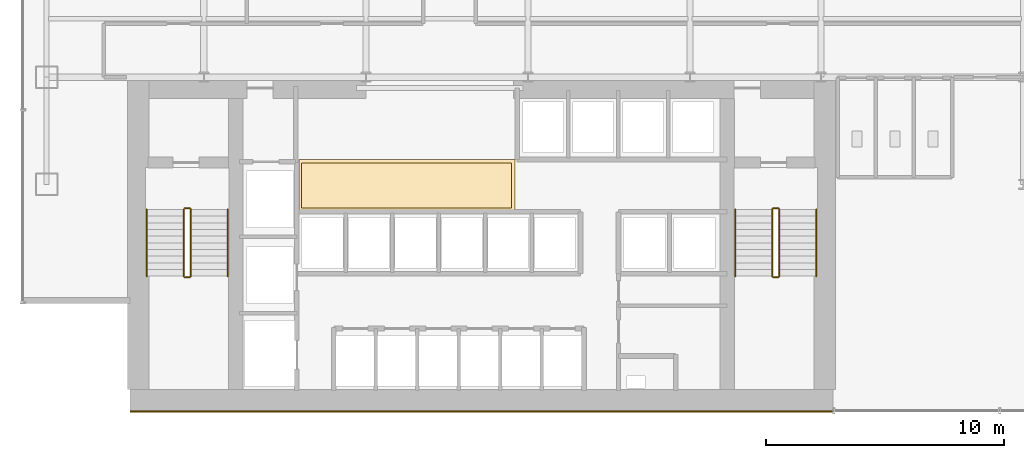
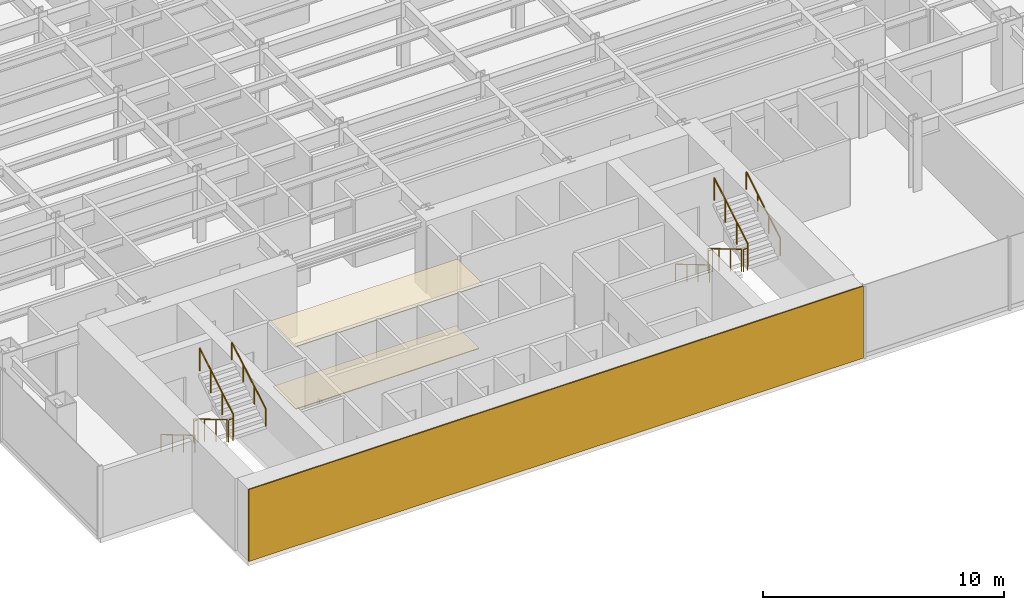
# One storey, part 20 of 22: 12 railings, 3 coverings.
"""IFC4 building model written with IfcOpenShell, lengths in metres."""

import ifcopenshell
import ifcopenshell.guid

model = None  # the IFC model being written
_history = None  # IfcOwnerHistory: only IFC2X3 demands one
_inside = {}  # id of a spatial element -> (the spatial element, [elements in it])
_under = {}  # id of a project, library or spatial element -> (it, [spatial elements below it])
_declared = {}  # id of a project -> (the project, [libraries it declares])
_typed = {}  # id of a type object -> (the type object, [elements of that type])
_made_of = {}  # id of a material, layer set ... -> (it, [elements and type objects made of it])


def new_model(schema):
    """Start an empty IFC model of exactly this schema.

    Asked for "IFC4X3", IfcOpenShell would pick the latest addendum, in which some entities
    have other attributes; the version numbers below select the first issue.
    IFC2X3 requires an IfcOwnerHistory on every rooted entity: one is made here for all.
    """
    global model, _history
    if schema == "IFC4X3":
        model = ifcopenshell.file(schema_version=(4, 3, 0, 0))
    else:
        model = ifcopenshell.file(schema=schema)
    _inside.clear()
    _under.clear()
    _declared.clear()
    _typed.clear()
    _made_of.clear()
    _history = None
    if model.schema == "IFC2X3":
        org = make("IfcOrganization", Name="unknown")
        user = make(
            "IfcPersonAndOrganization",
            ThePerson=make("IfcPerson", FamilyName="unknown"),
            TheOrganization=org,
        )
        app = make(
            "IfcApplication",
            ApplicationDeveloper=org,
            Version="unknown",
            ApplicationFullName="unknown",
            ApplicationIdentifier="unknown",
        )
        _history = make(
            "IfcOwnerHistory",
            OwningUser=user,
            OwningApplication=app,
            ChangeAction="ADDED",
            CreationDate=0,
        )
    return model


def make(cls, **values):
    """One entity of the class cls with the attributes given. An attribute that is None is left unset."""
    return model.create_entity(
        cls, **{name: value for name, value in values.items() if value is not None}
    )


def rooted(cls, **values):
    """An entity with a GlobalId (a new one), such as an element, a storey or a relation."""
    return make(cls, GlobalId=ifcopenshell.guid.new(), OwnerHistory=_history, **values)


def si_unit(unit_type, name, prefix=None):
    """IfcSIUnit, for example si_unit("LENGTHUNIT", "METRE", prefix="MILLI")."""
    return make("IfcSIUnit", UnitType=unit_type, Prefix=prefix, Name=name)


def derived_unit(unit_type, elements):
    """IfcDerivedUnit: a product of units, each with its exponent."""
    return make(
        "IfcDerivedUnit",
        Elements=[
            make("IfcDerivedUnitElement", Unit=unit, Exponent=power)
            for unit, power in elements
        ],
        UnitType=unit_type,
    )


def assignment(units):
    """IfcUnitAssignment: the units of a project."""
    return None if units is None else make("IfcUnitAssignment", Units=units)


def point(xyz):
    """IfcCartesianPoint."""
    return None if xyz is None else make("IfcCartesianPoint", Coordinates=xyz)


def direction(xyz):
    """IfcDirection."""
    return None if xyz is None else make("IfcDirection", DirectionRatios=xyz)


def frame(location, z_axis=None, x_axis=None):
    """IfcAxis2Placement3D, a coordinate frame: its origin and axes. An axis left out is left unset."""
    return make(
        "IfcAxis2Placement3D",
        Location=point(location),
        Axis=direction(z_axis),
        RefDirection=direction(x_axis),
    )


def frame_2d(location, x_axis=None):
    """IfcAxis2Placement2D, a coordinate frame in the plane: its origin and x axis."""
    return make(
        "IfcAxis2Placement2D", Location=point(location), RefDirection=direction(x_axis)
    )


def origin():
    """The frame at (0, 0, 0) with its axes left unset."""
    return frame((0.0, 0.0, 0.0))


def origin_2d():
    """The frame at (0, 0) in the plane with its x axis left unset."""
    return frame_2d((0.0, 0.0))


def place(relative_to, where):
    """IfcLocalPlacement: puts the frame where relative to a parent placement (None: the world)."""
    return make(
        "IfcLocalPlacement", PlacementRelTo=relative_to, RelativePlacement=where
    )


def context(
    kind, dimensions, precision=None, world=None, true_north=None, identifier=None
):
    """IfcGeometricRepresentationContext, for example the 3D "Model" context."""
    return make(
        "IfcGeometricRepresentationContext",
        ContextIdentifier=identifier,
        ContextType=kind,
        CoordinateSpaceDimension=dimensions,
        Precision=precision,
        WorldCoordinateSystem=world,
        TrueNorth=true_north,
    )


def subcontext(parent, identifier, kind, view, scale=None):
    """IfcGeometricRepresentationSubContext, for example "Body" below "Model"."""
    return make(
        "IfcGeometricRepresentationSubContext",
        ContextIdentifier=identifier,
        ContextType=kind,
        ParentContext=parent,
        TargetScale=scale,
        TargetView=view,
    )


def project(units=None, contexts=None):
    """IfcProject with its units and contexts."""
    return rooted(
        "IfcProject",
        Name="project",
        RepresentationContexts=contexts,
        UnitsInContext=assignment(units),
    )


def spatial(cls, under=None, at=None, **own):
    """A site, building, storey or space (cls), placed at a placement, below another one or the project."""
    s = rooted(cls, ObjectPlacement=at, **own)
    if under is not None:
        _under.setdefault(under.id(), (under, []))[1].append(s)
    return s


def polyline(points):
    """IfcPolyline through the points."""
    return make("IfcPolyline", Points=[point(p) for p in points])


def profile(cls, at=None, kind="AREA", **sizes):
    """A parametric profile (cls). Its sizes go by their IFC names, for example OverallWidth=200.0."""
    return make(cls, ProfileType=kind, Position=at, **sizes)


def rectangle(**sizes):
    """IfcRectangleProfileDef."""
    return profile("IfcRectangleProfileDef", **sizes)


def circle(**sizes):
    """IfcCircleProfileDef."""
    return profile("IfcCircleProfileDef", **sizes)


def outline(outer, holes=None, kind="AREA"):
    """IfcArbitraryClosedProfileDef: a profile drawn as a closed curve; with holes, ...WithVoids."""
    if holes is None:
        return make("IfcArbitraryClosedProfileDef", ProfileType=kind, OuterCurve=outer)
    return make(
        "IfcArbitraryProfileDefWithVoids",
        ProfileType=kind,
        OuterCurve=outer,
        InnerCurves=holes,
    )


def extrude(swept, where, along, depth):
    """IfcExtrudedAreaSolid: the profile swept, set in the frame where, extruded along a direction by depth."""
    return make(
        "IfcExtrudedAreaSolid",
        SweptArea=swept,
        Position=where,
        ExtrudedDirection=direction(along),
        Depth=depth,
    )


def shape(context_of_items, identifier, shape_type, items):
    """IfcShapeRepresentation: the items that make up one representation, for example the "Body"."""
    return make(
        "IfcShapeRepresentation",
        ContextOfItems=context_of_items,
        RepresentationIdentifier=identifier,
        RepresentationType=shape_type,
        Items=items,
    )


def source(mapping_origin, context_of_items, identifier, shape_type, items):
    """IfcRepresentationMap: a shape defined once, which mapped items show again and again."""
    return make(
        "IfcRepresentationMap",
        MappingOrigin=mapping_origin,
        MappedRepresentation=shape(context_of_items, identifier, shape_type, items),
    )


def transform(
    local_origin,
    x_axis=None,
    y_axis=None,
    z_axis=None,
    scale=None,
    scale2=None,
    scale3=None,
    uniform=True,
):
    """IfcCartesianTransformationOperator3D, or its non-uniform kind. x_axis, y_axis, z_axis: its Axis1, 2, 3."""
    if uniform:
        return make(
            "IfcCartesianTransformationOperator3D",
            Axis1=direction(x_axis),
            Axis2=direction(y_axis),
            LocalOrigin=point(local_origin),
            Scale=scale,
            Axis3=direction(z_axis),
        )
    return make(
        "IfcCartesianTransformationOperator3DnonUniform",
        Axis1=direction(x_axis),
        Axis2=direction(y_axis),
        LocalOrigin=point(local_origin),
        Scale=scale,
        Axis3=direction(z_axis),
        Scale2=scale2,
        Scale3=scale3,
    )


def mapped(mapping_source, mapping_target):
    """IfcMappedItem: shows the shape of a source again, moved by a transform."""
    return make(
        "IfcMappedItem", MappingSource=mapping_source, MappingTarget=mapping_target
    )


def material(Name=None, Category=None):
    """IfcMaterial."""
    return make("IfcMaterial", Name=Name, Category=Category)


def layer(
    of_material, thickness, ventilated=None, Name=None, Category=None, Priority=None
):
    """IfcMaterialLayer: one layer of a wall or slab, of a material (None: an air gap)."""
    return make(
        "IfcMaterialLayer",
        Material=of_material,
        LayerThickness=thickness,
        IsVentilated=ventilated,
        Name=Name,
        Category=Category,
        Priority=Priority,
    )


def layer_set(layers, Name=None):
    """IfcMaterialLayerSet."""
    return make("IfcMaterialLayerSet", MaterialLayers=layers, LayerSetName=Name)


def made_of(thing, what):
    """Note that an element or type object is made of a material, layer set ...; save() writes the relation."""
    if what is not None:
        _made_of.setdefault(what.id(), (what, []))[1].append(thing)
    return thing


def type_object(cls, material=None, **own):
    """A type object (cls), such as IfcWallType, which elements share."""
    return made_of(rooted(cls, **own), material)


def element(
    cls,
    number,
    at=None,
    inside=None,
    cuts=None,
    type_object=None,
    material=None,
    context=None,
    identifier="Body",
    shape_type=None,
    held_by="IfcProductDefinitionShape",
    body=None,
    shapes=None,
    **own,
):
    """One element of the class cls, such as IfcWall. Its Tag is "e" and its number.

    at: its placement. inside: the storey or other place that contains it. cuts: it is an
    opening in that element (IfcRelVoidsElement). A single representation is given by context,
    identifier, shape_type and body (its items); several are given by shapes. held_by: the class
    of the entity that holds the representations. save() writes the other relations.
    """
    e = rooted(cls, Tag="e%d" % number, ObjectPlacement=at, **own)
    if body is not None:
        shapes = [shape(context, identifier, shape_type, body)]
    if shapes is not None:
        e.Representation = make(held_by, Representations=shapes)
    if inside is not None:
        _inside.setdefault(inside.id(), (inside, []))[1].append(e)
    if cuts is not None:
        rooted(
            "IfcRelVoidsElement", RelatingBuildingElement=cuts, RelatedOpeningElement=e
        )
    if type_object is not None:
        _typed.setdefault(type_object.id(), (type_object, []))[1].append(e)
    return made_of(e, material)


def aggregate(whole, parts):
    """IfcRelAggregates: a whole, such as a stair, and the parts it consists of."""
    return rooted("IfcRelAggregates", RelatingObject=whole, RelatedObjects=parts)


def save(model, path):
    """Write the relations noted so far, then the file.

    IfcRelAggregates (storeys below a building ...), IfcRelContainedInSpatialStructure (elements
    in a storey), IfcRelDefinesByType, IfcRelAssociatesMaterial and IfcRelDeclares: one each for
    every whole, place, type object, material and project.
    """
    for whole, parts in _under.values():
        aggregate(whole, parts)
    for where, things in _inside.values():
        rooted(
            "IfcRelContainedInSpatialStructure",
            RelatedElements=things,
            RelatingStructure=where,
        )
    for kind, things in _typed.values():
        rooted("IfcRelDefinesByType", RelatedObjects=things, RelatingType=kind)
    for what, things in _made_of.values():
        rooted("IfcRelAssociatesMaterial", RelatedObjects=things, RelatingMaterial=what)
    for by, libraries in _declared.values():
        rooted("IfcRelDeclares", RelatingContext=by, RelatedDefinitions=libraries)
    model.write(path)


model = new_model("IFC4")

# Units and contexts
model_context = context("Model", 3, precision=1e-05, world=origin(), true_north=direction((0.0, 1.0)))
body_context = subcontext(model_context, "Body", "Model", "MODEL_VIEW")
ifc_project = project(units=[si_unit("LENGTHUNIT", "METRE"), si_unit("AREAUNIT", "SQUARE_METRE"), si_unit("VOLUMEUNIT", "CUBIC_METRE"), si_unit("PLANEANGLEUNIT", "RADIAN"), si_unit("MASSUNIT", "GRAM", prefix="KILO"), derived_unit("THERMALTRANSMITTANCEUNIT", [(si_unit("POWERUNIT", "WATT"), 1), (si_unit("LENGTHUNIT", "METRE"), -2), (si_unit("THERMODYNAMICTEMPERATUREUNIT", "KELVIN"), -1)])], contexts=[model_context])

# Site, building, storey
site_placement = place(None, origin())
site = spatial("IfcSite", under=ifc_project, at=site_placement, CompositionType="ELEMENT")
building_placement = place(site_placement, origin())
building = spatial("IfcBuilding", under=site, at=building_placement, Name="Skarnbrae Concourse Arena and Tower", CompositionType="ELEMENT")
storey_placement = place(building_placement, frame((0.0, 0.0, 58.050048828125)))
storey = spatial("IfcBuildingStorey", under=building, at=storey_placement, Name="L13", CompositionType="ELEMENT", Elevation=58.050048828125)

# Coverings
ifc_material_1 = material(Name="Mineral fibre acoustic ceiling tile", Category="other")
ifc_layer_1 = layer(ifc_material_1, 0.0400390625)
ifc_layer_set_1 = layer_set([ifc_layer_1], Name="Mineral fibre acoustic ceiling tile")
covering_type_1 = type_object("IfcCoveringType", Name="COV-CEIL-ACOUSTIC", PredefinedType="CEILING", material=ifc_layer_set_1)
covering_1_placement = place(storey_placement, frame((0.0, 0.0, 3.239990234375)))
element("IfcCovering", 1, at=covering_1_placement, inside=storey, type_object=covering_type_1, Name="L13 Lift lobby acoustic ceiling", PredefinedType="CEILING", context=body_context, shape_type="SweptSolid", body=[
    extrude(outline(polyline([(11.60009765625, 8.39990234375), (20.64990234375, 8.39990234375), (20.64990234375, 10.550048828125), (11.60009765625, 10.550048828125), (11.60009765625, 8.39990234375)])), origin(), (0.0, 0.0, 1.0), 0.0400390625),
])
ifc_material_2 = material(Name="Polished granite terrazzo flooring", Category="masonry")
ifc_layer_2 = layer(ifc_material_2, 0.0400390625)
ifc_layer_set_2 = layer_set([ifc_layer_2], Name="Polished granite terrazzo flooring")
covering_type_2 = type_object("IfcCoveringType", Name="COV-FLOOR-TERRAZZO", PredefinedType="FLOORING", material=ifc_layer_set_2)
covering_2_placement = place(storey_placement, origin())
element("IfcCovering", 2, at=covering_2_placement, inside=storey, type_object=covering_type_2, Name="L13 Lift lobby terrazzo flooring", PredefinedType="FLOORING", context=body_context, shape_type="SweptSolid", body=[
    extrude(outline(polyline([(11.699951171875, 8.5), (20.5, 8.5), (20.5, 10.39990234375), (11.699951171875, 10.39990234375), (11.699951171875, 8.5)])), origin(), (0.0, 0.0, 1.0), 0.0400390625),
])

# Railings
ifc_material_3 = material(Name="Steel CSA G40.21 350W", Category="steel")
railing_type_1 = type_object("IfcRailingType", Name="RAIL-HANDRAIL-900", PredefinedType="HANDRAIL", material=ifc_material_3)
railing_1_placement = place(storey_placement, frame((5.199951171875, 8.449951171875, 0.165771484375)))
element("IfcRailing", 3, at=railing_1_placement, inside=storey, type_object=railing_type_1, Name="L13 ST-1 stair handrail 1", PredefinedType="HANDRAIL", context=body_context, shape_type="SweptSolid", body=[
    extrude(circle(Radius=0.02392578125, at=origin_2d()), frame((0.0, 0.0, 0.8759765625), z_axis=(0.0, -0.860306154799, 0.50977771628), x_axis=(1.0, 0.0, 0.0)), (0.0, 0.0, 1.0), 3.254638671875),
    extrude(circle(Radius=0.02099609375, at=origin_2d()), origin(), (0.0, 0.0, 1.0), 0.851806640625),
    extrude(circle(Radius=0.02099609375, at=origin_2d()), frame((0.0, -0.933349609375, 0.552978515625)), (0.0, 0.0, 1.0), 0.851806640625),
    extrude(circle(Radius=0.02099609375, at=origin_2d()), frame((0.0, -1.86669921875, 1.106201171875)), (0.0, 0.0, 1.0), 0.851806640625),
    extrude(circle(Radius=0.02099609375, at=origin_2d()), frame((0.0, -2.800048828125, 1.6591796875)), (0.0, 0.0, 1.0), 0.851806640625),
])
railing_2_placement = place(storey_placement, frame((8.60009765625, 5.64990234375, 1.990966796875)))
element("IfcRailing", 4, at=railing_2_placement, inside=storey, type_object=railing_type_1, Name="L13 ST-1 stair handrail 2", PredefinedType="HANDRAIL", context=body_context, shape_type="SweptSolid", body=[
    extrude(circle(Radius=0.02392578125, at=origin_2d()), frame((0.0, 0.0, 0.8759765625), z_axis=(0.0, 0.860339051648, 0.50972219513), x_axis=(-1.0, 0.0, 0.0)), (0.0, 0.0, 1.0), 3.254638671875),
    extrude(circle(Radius=0.02099609375, at=origin_2d()), origin(), (0.0, 0.0, 1.0), 0.851806640625),
    extrude(circle(Radius=0.02099609375, at=origin_2d()), frame((0.0, 0.933349609375, 0.552978515625)), (0.0, 0.0, 1.0), 0.851806640625),
    extrude(circle(Radius=0.02099609375, at=origin_2d()), frame((0.0, 1.86669921875, 1.10595703125)), (0.0, 0.0, 1.0), 0.851806640625),
    extrude(circle(Radius=0.02099609375, at=origin_2d()), frame((0.0, 2.800048828125, 1.658935546875)), (0.0, 0.0, 1.0), 0.851806640625),
])
railing_3_placement = place(storey_placement, frame((29.89990234375, 8.449951171875, 0.165771484375)))
element("IfcRailing", 5, at=railing_3_placement, inside=storey, type_object=railing_type_1, Name="L13 ST-2 stair handrail 1", PredefinedType="HANDRAIL", context=body_context, shape_type="SweptSolid", body=[
    extrude(circle(Radius=0.02392578125, at=origin_2d()), frame((0.0, 0.0, 0.8759765625), z_axis=(0.0, -0.860306154799, 0.50977771628), x_axis=(1.0, 0.0, 0.0)), (0.0, 0.0, 1.0), 3.254638671875),
    extrude(circle(Radius=0.02099609375, at=origin_2d()), origin(), (0.0, 0.0, 1.0), 0.851806640625),
    extrude(circle(Radius=0.02099609375, at=origin_2d()), frame((0.0, -0.933349609375, 0.552978515625)), (0.0, 0.0, 1.0), 0.851806640625),
    extrude(circle(Radius=0.02099609375, at=origin_2d()), frame((0.0, -1.86669921875, 1.106201171875)), (0.0, 0.0, 1.0), 0.851806640625),
    extrude(circle(Radius=0.02099609375, at=origin_2d()), frame((0.0, -2.800048828125, 1.6591796875)), (0.0, 0.0, 1.0), 0.851806640625),
])
railing_4_placement = place(storey_placement, frame((33.300048828125, 5.64990234375, 1.990966796875)))
element("IfcRailing", 6, at=railing_4_placement, inside=storey, type_object=railing_type_1, Name="L13 ST-2 stair handrail 2", PredefinedType="HANDRAIL", context=body_context, shape_type="SweptSolid", body=[
    extrude(circle(Radius=0.02392578125, at=origin_2d()), frame((0.0, 0.0, 0.8759765625), z_axis=(0.0, 0.860339051648, 0.50972219513), x_axis=(-1.0, 0.0, 0.0)), (0.0, 0.0, 1.0), 3.254638671875),
    extrude(circle(Radius=0.02099609375, at=origin_2d()), origin(), (0.0, 0.0, 1.0), 0.851806640625),
    extrude(circle(Radius=0.02099609375, at=origin_2d()), frame((0.0, 0.933349609375, 0.552978515625)), (0.0, 0.0, 1.0), 0.851806640625),
    extrude(circle(Radius=0.02099609375, at=origin_2d()), frame((0.0, 1.86669921875, 1.10595703125)), (0.0, 0.0, 1.0), 0.851806640625),
    extrude(circle(Radius=0.02099609375, at=origin_2d()), frame((0.0, 2.800048828125, 1.658935546875)), (0.0, 0.0, 1.0), 0.851806640625),
])
railing_type_2 = type_object("IfcRailingType", Name="RAIL-STAIR-GUARD-1150", PredefinedType="GUARDRAIL", material=ifc_material_3)
railing_5_placement = place(storey_placement, frame((6.75, 8.449951171875, 0.165771484375)))
element("IfcRailing", 7, at=railing_5_placement, inside=storey, type_object=railing_type_2, Name="L13 ST-1 stair guard 1", PredefinedType="GUARDRAIL", context=body_context, shape_type="SweptSolid", body=[
    extrude(circle(Radius=0.02392578125, at=origin_2d()), frame((0.0, 0.0, 1.1259765625), z_axis=(0.0, -0.860306154799, 0.50977771628), x_axis=(1.0, 0.0, 0.0)), (0.0, 0.0, 1.0), 3.254638671875),
    extrude(circle(Radius=0.02099609375, at=origin_2d()), origin(), (0.0, 0.0, 1.0), 1.101806640625),
    extrude(circle(Radius=0.02099609375, at=origin_2d()), frame((0.0, -0.933349609375, 0.552978515625)), (0.0, 0.0, 1.0), 1.101806640625),
    extrude(circle(Radius=0.02099609375, at=origin_2d()), frame((0.0, -1.86669921875, 1.106201171875)), (0.0, 0.0, 1.0), 1.101806640625),
    extrude(circle(Radius=0.02099609375, at=origin_2d()), frame((0.0, -2.800048828125, 1.6591796875)), (0.0, 0.0, 1.0), 1.101806640625),
])
railing_6_placement = place(storey_placement, frame((6.800048828125, 5.60009765625, 1.824951171875)))
element("IfcRailing", 8, at=railing_6_placement, inside=storey, type_object=railing_type_2, Name="L13 ST-1 stair guard 2", PredefinedType="GUARDRAIL", context=body_context, shape_type="SweptSolid", body=[
    extrude(circle(Radius=0.02392578125, at=origin_2d()), frame((0.0, 0.0, 1.1259765625), z_axis=(1.0, 0.0, 0.0), x_axis=(0.0, 1.0, 0.0)), (0.0, 0.0, 1.0), 0.199951171875),
    extrude(circle(Radius=0.02099609375, at=origin_2d()), origin(), (0.0, 0.0, 1.0), 1.101806640625),
    extrude(circle(Radius=0.02099609375, at=origin_2d()), frame((0.199951171875, 0.0, 0.0)), (0.0, 0.0, 1.0), 1.101806640625),
])
railing_7_placement = place(storey_placement, frame((7.050048828125, 5.64990234375, 1.990966796875)))
element("IfcRailing", 9, at=railing_7_placement, inside=storey, type_object=railing_type_2, Name="L13 ST-1 stair guard 3", PredefinedType="GUARDRAIL", context=body_context, shape_type="SweptSolid", body=[
    extrude(circle(Radius=0.02392578125, at=origin_2d()), frame((0.0, 0.0, 1.1259765625), z_axis=(0.0, 0.860339051648, 0.50972219513), x_axis=(-1.0, 0.0, 0.0)), (0.0, 0.0, 1.0), 3.254638671875),
    extrude(circle(Radius=0.02099609375, at=origin_2d()), origin(), (0.0, 0.0, 1.0), 1.101806640625),
    extrude(circle(Radius=0.02099609375, at=origin_2d()), frame((0.0, 0.933349609375, 0.552978515625)), (0.0, 0.0, 1.0), 1.101806640625),
    extrude(circle(Radius=0.02099609375, at=origin_2d()), frame((0.0, 1.86669921875, 1.10595703125)), (0.0, 0.0, 1.0), 1.101806640625),
    extrude(circle(Radius=0.02099609375, at=origin_2d()), frame((0.0, 2.800048828125, 1.658935546875)), (0.0, 0.0, 1.0), 1.101806640625),
])
railing_8_placement = place(storey_placement, frame((6.800048828125, 8.5, 0.0)))
element("IfcRailing", 10, at=railing_8_placement, inside=storey, type_object=railing_type_2, Name="L13 ST-1 stair guard 4", PredefinedType="GUARDRAIL", context=body_context, shape_type="SweptSolid", body=[
    extrude(circle(Radius=0.02392578125, at=origin_2d()), frame((0.0, 0.0, 1.1259765625), z_axis=(1.0, 0.0, 0.0), x_axis=(0.0, 1.0, 0.0)), (0.0, 0.0, 1.0), 0.199951171875),
    extrude(circle(Radius=0.02099609375, at=origin_2d()), origin(), (0.0, 0.0, 1.0), 1.101806640625),
    extrude(circle(Radius=0.02099609375, at=origin_2d()), frame((0.199951171875, 0.0, 0.0)), (0.0, 0.0, 1.0), 1.101806640625),
])
railing_9_placement = place(storey_placement, frame((31.449951171875, 8.449951171875, 0.165771484375)))
element("IfcRailing", 11, at=railing_9_placement, inside=storey, type_object=railing_type_2, Name="L13 ST-2 stair guard 1", PredefinedType="GUARDRAIL", context=body_context, shape_type="SweptSolid", body=[
    extrude(circle(Radius=0.02392578125, at=origin_2d()), frame((0.0, 0.0, 1.1259765625), z_axis=(0.0, -0.860306154799, 0.50977771628), x_axis=(1.0, 0.0, 0.0)), (0.0, 0.0, 1.0), 3.254638671875),
    extrude(circle(Radius=0.02099609375, at=origin_2d()), origin(), (0.0, 0.0, 1.0), 1.101806640625),
    extrude(circle(Radius=0.02099609375, at=origin_2d()), frame((0.0, -0.933349609375, 0.552978515625)), (0.0, 0.0, 1.0), 1.101806640625),
    extrude(circle(Radius=0.02099609375, at=origin_2d()), frame((0.0, -1.86669921875, 1.106201171875)), (0.0, 0.0, 1.0), 1.101806640625),
    extrude(circle(Radius=0.02099609375, at=origin_2d()), frame((0.0, -2.800048828125, 1.6591796875)), (0.0, 0.0, 1.0), 1.101806640625),
])
railing_10_placement = place(storey_placement, frame((31.5, 5.60009765625, 1.824951171875)))
element("IfcRailing", 12, at=railing_10_placement, inside=storey, type_object=railing_type_2, Name="L13 ST-2 stair guard 2", PredefinedType="GUARDRAIL", context=body_context, shape_type="SweptSolid", body=[
    extrude(circle(Radius=0.02392578125, at=origin_2d()), frame((0.0, 0.0, 1.1259765625), z_axis=(1.0, 0.0, 0.0), x_axis=(0.0, 1.0, 0.0)), (0.0, 0.0, 1.0), 0.199951171875),
    extrude(circle(Radius=0.02099609375, at=origin_2d()), origin(), (0.0, 0.0, 1.0), 1.101806640625),
    extrude(circle(Radius=0.02099609375, at=origin_2d()), frame((0.199951171875, 0.0, 0.0)), (0.0, 0.0, 1.0), 1.101806640625),
])
railing_11_placement = place(storey_placement, frame((31.75, 5.64990234375, 1.990966796875)))
element("IfcRailing", 13, at=railing_11_placement, inside=storey, type_object=railing_type_2, Name="L13 ST-2 stair guard 3", PredefinedType="GUARDRAIL", context=body_context, shape_type="SweptSolid", body=[
    extrude(circle(Radius=0.02392578125, at=origin_2d()), frame((0.0, 0.0, 1.1259765625), z_axis=(0.0, 0.860339051648, 0.50972219513), x_axis=(-1.0, 0.0, 0.0)), (0.0, 0.0, 1.0), 3.254638671875),
    extrude(circle(Radius=0.02099609375, at=origin_2d()), origin(), (0.0, 0.0, 1.0), 1.101806640625),
    extrude(circle(Radius=0.02099609375, at=origin_2d()), frame((0.0, 0.933349609375, 0.552978515625)), (0.0, 0.0, 1.0), 1.101806640625),
    extrude(circle(Radius=0.02099609375, at=origin_2d()), frame((0.0, 1.86669921875, 1.10595703125)), (0.0, 0.0, 1.0), 1.101806640625),
    extrude(circle(Radius=0.02099609375, at=origin_2d()), frame((0.0, 2.800048828125, 1.658935546875)), (0.0, 0.0, 1.0), 1.101806640625),
])
railing_12_placement = place(storey_placement, frame((31.5, 8.5, 0.0)))
element("IfcRailing", 14, at=railing_12_placement, inside=storey, type_object=railing_type_2, Name="L13 ST-2 stair guard 4", PredefinedType="GUARDRAIL", context=body_context, shape_type="SweptSolid", body=[
    extrude(circle(Radius=0.02392578125, at=origin_2d()), frame((0.0, 0.0, 1.1259765625), z_axis=(1.0, 0.0, 0.0), x_axis=(0.0, 1.0, 0.0)), (0.0, 0.0, 1.0), 0.199951171875),
    extrude(circle(Radius=0.02099609375, at=origin_2d()), origin(), (0.0, 0.0, 1.0), 1.101806640625),
    extrude(circle(Radius=0.02099609375, at=origin_2d()), frame((0.199951171875, 0.0, 0.0)), (0.0, 0.0, 1.0), 1.101806640625),
])

# Covering
ifc_material_4 = material(Name="Bronze anodised aluminium 6063-T6", Category="aluminium")
ifc_layer_3 = layer(ifc_material_4, 0.06005859375)
ifc_layer_set_3 = layer_set([ifc_layer_3], Name="Bronze anodised aluminium 6063-T6")
covering_type_3 = type_object("IfcCoveringType", Name="COV-CLAD-BRONZE-60", PredefinedType="CLADDING", material=ifc_layer_set_3)
shared_shape = source(origin(), body_context, "Body", "SweptSolid", [
    extrude(rectangle(XDim=29.5, YDim=0.06005859375, at=origin_2d()), origin(), (0.0, 0.0, 1.0), 3.64990234375),
])
covering_3_placement = place(storey_placement, frame((19.25, -0.030029296875, 0.0), z_axis=(0.0, 0.0, 1.0), x_axis=(1.0, 0.0, 0.0)))
element("IfcCovering", 15, at=covering_3_placement, inside=storey, type_object=covering_type_3, Name="L13 Rear-core plumb spine bronze rainscreen panel", PredefinedType="CLADDING", context=body_context, shape_type="MappedRepresentation", body=[
    mapped(shared_shape, transform((0.0, 0.0, 0.0))),
])

save(model, "model.ifc")
